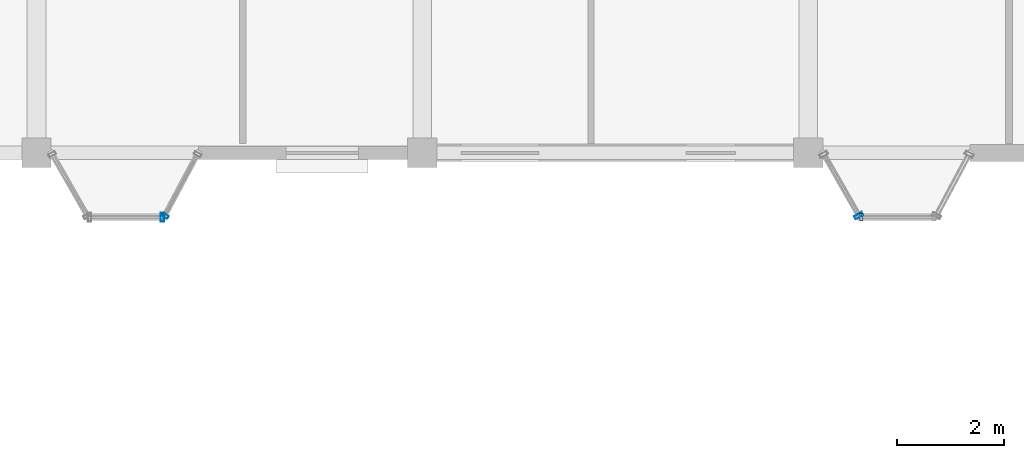
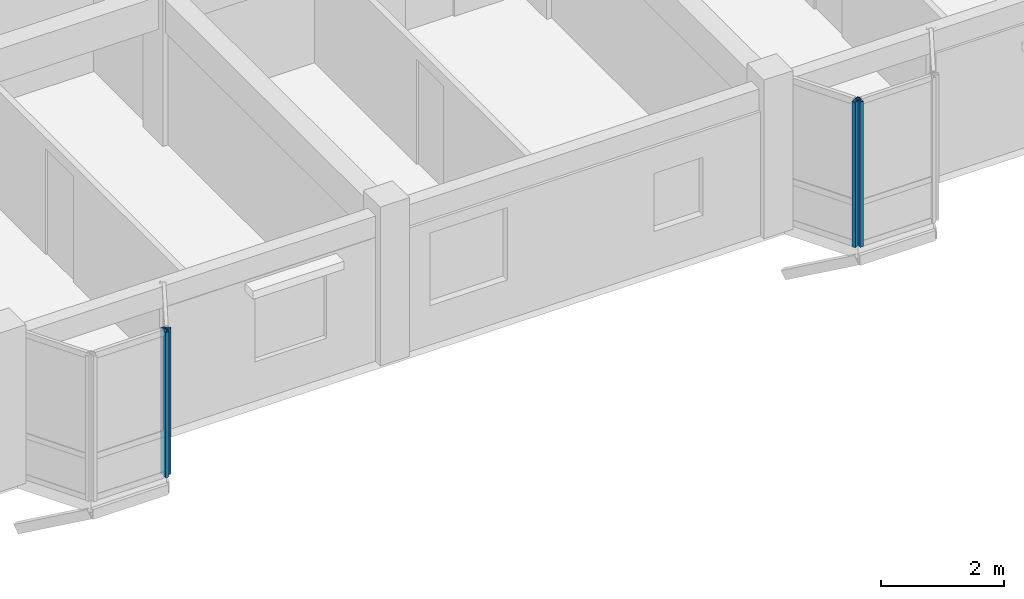
# One storey, part 37 of 77: 4 members, 4 elements without a shape of their own.
"""IFC4 building model written with IfcOpenShell, lengths in metres."""

from ifc_helpers import new_model, si_unit, direction, frame, origin, origin_2d, place, context, subcontext, project, spatial, hollow_rectangle, extrude, material, layer, layer_set, material_profile, profile_set, type_object, element, aggregate, save


model = new_model("IFC4")

# Units and contexts
model_context = context("Model", 3, precision=1e-05, world=origin(), true_north=direction((0.0, 1.0)))
body_context = subcontext(model_context, "Body", "Model", "MODEL_VIEW")
ifc_project = project(units=[si_unit("LENGTHUNIT", "METRE"), si_unit("AREAUNIT", "SQUARE_METRE"), si_unit("VOLUMEUNIT", "CUBIC_METRE"), si_unit("PLANEANGLEUNIT", "RADIAN"), si_unit("MASSUNIT", "GRAM", prefix="KILO"), si_unit("THERMODYNAMICTEMPERATUREUNIT", "KELVIN"), si_unit("POWERUNIT", "WATT")], contexts=[model_context])

# Site, building, storey
site_placement = place(None, origin())
site = spatial("IfcSite", under=ifc_project, at=site_placement, CompositionType="ELEMENT")
building_placement = place(site_placement, origin())
building = spatial("IfcBuilding", under=site, at=building_placement, Name="Tavuni Mirador Residences", CompositionType="ELEMENT")
storey_placement = place(building_placement, frame((0.0, 0.0, 10.800048828125)))
storey = spatial("IfcBuildingStorey", under=building, at=storey_placement, Name="L03", CompositionType="ELEMENT", Elevation=10.800048828125)

# Curtain wall, member
ifc_material = material(Name="Anodised aluminium", Category="aluminium")
ifc_layer_1 = layer(ifc_material, 0.1650390625, Name="Anodised aluminium", Category="aluminium")
ifc_layer_set_1 = layer_set([ifc_layer_1], Name="Anodised aluminium")
curtain_wall_type_1 = type_object("IfcCurtainWallType", Name="CWT-MIR-A", PredefinedType="NOTDEFINED", material=ifc_layer_set_1)
curtain_wall_1_placement = place(storey_placement, origin())
curtain_wall_1 = element("IfcCurtainWall", 1, at=curtain_wall_1_placement, inside=storey, type_object=curtain_wall_type_1, Name="CW-MIR-C-S2-L03-M2", PredefinedType="NOTDEFINED")
ifc_material_profile_1 = material_profile(ifc_material, hollow_rectangle(XDim=0.06005859375, YDim=0.139892578125, WallThickness=0.00390625, at=origin_2d()), Name="ALU 60x140x4.0", Category="aluminium")
ifc_profile_set_1 = profile_set([ifc_material_profile_1], Name="Anodised aluminium")
member_type_1 = type_object("IfcMemberType", Name="CWM-140", PredefinedType="MULLION", material=ifc_profile_set_1)
member_1_placement = place(storey_placement, frame((34.794189453125, 142.826416015625, 0.0), z_axis=(0.0, 0.0, 1.0), x_axis=(0.470588235296, 0.882352941175, 0.0)))
member_1 = element("IfcMember", 2, at=member_1_placement, type_object=member_type_1, Name="CW-01 mullion 1", PredefinedType="MULLION", context=body_context, shape_type="SweptSolid", body=[
    extrude(hollow_rectangle(XDim=0.06005859375, YDim=0.139892578125, WallThickness=0.00390625, at=origin_2d()), origin(), (0.0, 0.0, 1.0), 2.885009765625),
])
aggregate(curtain_wall_1, [member_1])

ifc_layer_2 = layer(ifc_material, 0.175048828125, Name="Anodised aluminium", Category="aluminium")
ifc_layer_set_2 = layer_set([ifc_layer_2], Name="Anodised aluminium")
curtain_wall_type_2 = type_object("IfcCurtainWallType", Name="CWT-MIR-C", PredefinedType="NOTDEFINED", material=ifc_layer_set_2)
curtain_wall_2_placement = place(storey_placement, origin())
curtain_wall_2 = element("IfcCurtainWall", 3, at=curtain_wall_2_placement, inside=storey, type_object=curtain_wall_type_2, Name="CW-MIR-C-S3-L03-MF", PredefinedType="NOTDEFINED")
member_2_placement = place(storey_placement, frame((47.7900390625, 142.800048828125, 0.0), z_axis=(0.0, 0.0, 1.0), x_axis=(1.0, 0.0, 0.0)))
member_2 = element("IfcMember", 4, at=member_2_placement, type_object=member_type_1, Name="CW-03 mullion 1", PredefinedType="MULLION", context=body_context, shape_type="SweptSolid", body=[
    extrude(hollow_rectangle(XDim=0.06005859375, YDim=0.139892578125, WallThickness=0.00390625, at=origin_2d()), origin(), (0.0, 0.0, 1.0), 2.885009765625),
])
aggregate(curtain_wall_2, [member_2])

ifc_layer_3 = layer(ifc_material, 0.159912109375, Name="Anodised aluminium", Category="aluminium")
ifc_layer_set_3 = layer_set([ifc_layer_3], Name="Anodised aluminium")
curtain_wall_type_3 = type_object("IfcCurtainWallType", Name="CWT-MIR-D", PredefinedType="NOTDEFINED", material=ifc_layer_set_3)
curtain_wall_3_placement = place(storey_placement, origin())
curtain_wall_3 = element("IfcCurtainWall", 5, at=curtain_wall_3_placement, inside=storey, type_object=curtain_wall_type_3, Name="CW-MIR-C-S2-L03-MF", PredefinedType="NOTDEFINED")
ifc_material_profile_2 = material_profile(ifc_material, hollow_rectangle(XDim=0.06494140625, YDim=0.1650390625, WallThickness=0.00439453125, at=origin_2d()), Name="ALU 65x165x4.5", Category="aluminium")
ifc_profile_set_2 = profile_set([ifc_material_profile_2], Name="Anodised aluminium")
member_type_2 = type_object("IfcMemberType", Name="CWM-165", PredefinedType="MULLION", material=ifc_profile_set_2)
member_3_placement = place(storey_placement, frame((34.74755859375, 142.800048828125, 0.0), z_axis=(0.0, 0.0, 1.0), x_axis=(1.0, 0.0, 0.0)))
member_3 = element("IfcMember", 6, at=member_3_placement, type_object=member_type_2, Name="CW-04 mullion 2", PredefinedType="MULLION", context=body_context, shape_type="SweptSolid", body=[
    extrude(hollow_rectangle(XDim=0.06494140625, YDim=0.1650390625, WallThickness=0.00439453125, at=origin_2d()), origin(), (0.0, 0.0, 1.0), 2.885009765625),
])
aggregate(curtain_wall_3, [member_3])

ifc_layer_4 = layer(ifc_material, 0.14990234375, Name="Anodised aluminium", Category="aluminium")
ifc_layer_set_4 = layer_set([ifc_layer_4], Name="Anodised aluminium")
curtain_wall_type_4 = type_object("IfcCurtainWallType", Name="CWT-MIR-B", PredefinedType="NOTDEFINED", material=ifc_layer_set_4)
curtain_wall_4_placement = place(storey_placement, origin())
curtain_wall_4 = element("IfcCurtainWall", 7, at=curtain_wall_4_placement, inside=storey, type_object=curtain_wall_type_4, Name="CW-MIR-C-S3-L03-M1", PredefinedType="NOTDEFINED")
member_4_placement = place(storey_placement, frame((47.743896484375, 142.828125, 0.0), z_axis=(0.0, 0.0, 1.0), x_axis=(0.495749192217, -0.868465738194, 0.0)))
member_4 = element("IfcMember", 8, at=member_4_placement, type_object=member_type_2, Name="CW-02 mullion 2", PredefinedType="MULLION", context=body_context, shape_type="SweptSolid", body=[
    extrude(hollow_rectangle(XDim=0.06494140625, YDim=0.1650390625, WallThickness=0.00439453125, at=origin_2d()), origin(), (0.0, 0.0, 1.0), 2.885009765625),
])
aggregate(curtain_wall_4, [member_4])

save(model, "model.ifc")
